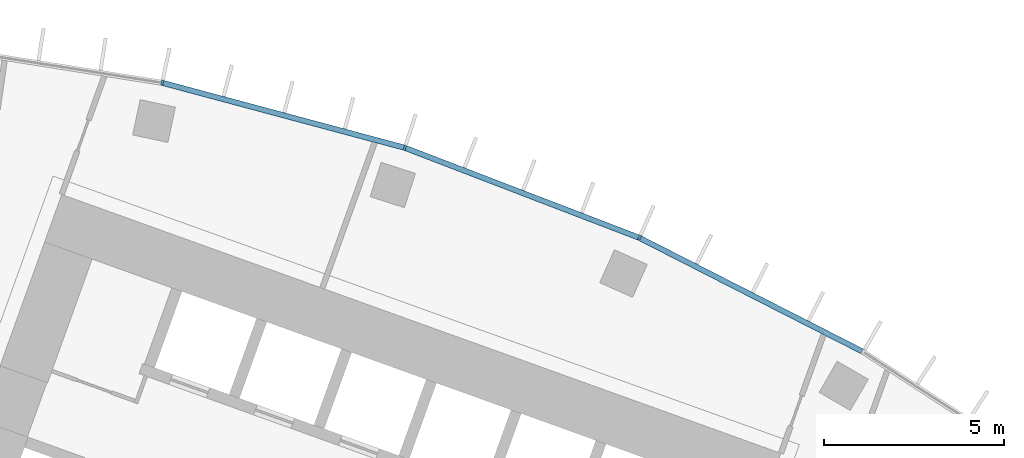
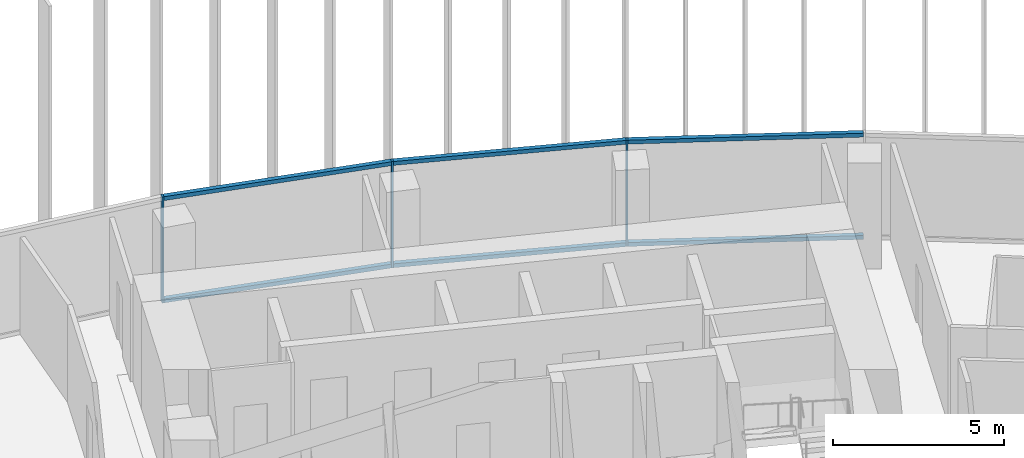
# One storey, part 11 of 22: 9 members, 1 element without a shape of its own.
"""IFC4 building model written with IfcOpenShell, lengths in metres."""

from ifc_helpers import new_model, si_unit, direction, frame, origin, origin_2d, place, context, subcontext, project, spatial, rectangle, extrude, material, layer, layer_set, material_profile, profile_set, type_object, element, aggregate, save


model = new_model("IFC4")

# Units and contexts
model_context = context("Model", 3, precision=1e-05, world=origin(), true_north=direction((0.0, 1.0)))
body_context = subcontext(model_context, "Body", "Model", "MODEL_VIEW")
ifc_project = project(units=[si_unit("LENGTHUNIT", "METRE"), si_unit("AREAUNIT", "SQUARE_METRE"), si_unit("VOLUMEUNIT", "CUBIC_METRE"), si_unit("PLANEANGLEUNIT", "RADIAN"), si_unit("MASSUNIT", "GRAM", prefix="KILO")], contexts=[model_context])

# Site, building, storey
site_placement = place(None, origin())
site = spatial("IfcSite", under=ifc_project, at=site_placement, CompositionType="ELEMENT")
building_placement = place(site_placement, origin())
building = spatial("IfcBuilding", under=site, at=building_placement, Name="Stone Belt Terrace Tower", CompositionType="ELEMENT")
storey_placement = place(building_placement, frame((0.0, 0.0, 155.39990234375)))
storey = spatial("IfcBuildingStorey", under=building, at=storey_placement, Name="L37", CompositionType="ELEMENT", Elevation=155.39990234375)

# Curtain wall, members
ifc_material = material(Name="Aluminium 6063-T6 anodised frame", Category="aluminium")
ifc_layer = layer(ifc_material, 0.14990234375)
ifc_layer_set = layer_set([ifc_layer], Name="CW-A unitised convex-face curtain wall")
curtain_wall_type = type_object("IfcCurtainWallType", Name="CW-A unitised convex-face curtain wall", PredefinedType="NOTDEFINED", material=ifc_layer_set)
curtain_wall_placement = place(storey_placement, origin())
curtain_wall = element("IfcCurtainWall", 1, at=curtain_wall_placement, inside=storey, type_object=curtain_wall_type, Name="CW-A convex face L37", PredefinedType="NOTDEFINED")
ifc_material_profile_1 = material_profile(ifc_material, rectangle(XDim=0.14990234375, YDim=0.06005859375, at=origin_2d()), Name="Aluminium 6063-T6 60x150")
ifc_profile_set_1 = profile_set([ifc_material_profile_1], Name="Aluminium 6063-T6 anodised frame")
member_type_1 = type_object("IfcMemberType", Name="CW-A mullion 60 x 150", PredefinedType="MULLION", material=ifc_profile_set_1)
member_1_placement = place(storey_placement, frame((27.07861328125, 60.8193359375, 0.0), z_axis=(0.0, 0.0, 1.0), x_axis=(-0.406736643076, -0.913545457643, 0.0)))
member_1 = element("IfcMember", 2, at=member_1_placement, type_object=member_type_1, Name="CW-A mullion 5", PredefinedType="MULLION", context=body_context, shape_type="SweptSolid", body=[
    extrude(rectangle(XDim=0.14990234375, YDim=0.06005859375, at=origin_2d()), origin(), (0.0, 0.0, 1.0), 3.800048828125),
])
member_2_placement = place(storey_placement, frame((20.57275390625, 63.316650390625, 0.0), z_axis=(0.0, 0.0, 1.0), x_axis=(-0.309016994375, -0.951056516295, 0.0)))
member_2 = element("IfcMember", 3, at=member_2_placement, type_object=member_type_1, Name="CW-A mullion 6", PredefinedType="MULLION", context=body_context, shape_type="SweptSolid", body=[
    extrude(rectangle(XDim=0.14990234375, YDim=0.06005859375, at=origin_2d()), origin(), (0.0, 0.0, 1.0), 3.800048828125),
])
member_3_placement = place(storey_placement, frame((13.841796875, 65.120361328125, 0.0), z_axis=(0.0, 0.0, 1.0), x_axis=(-0.207911690818, -0.978147600734, 0.0)))
member_3 = element("IfcMember", 4, at=member_3_placement, type_object=member_type_1, Name="CW-A mullion 7", PredefinedType="MULLION", context=body_context, shape_type="SweptSolid", body=[
    extrude(rectangle(XDim=0.14990234375, YDim=0.06005859375, at=origin_2d()), origin(), (0.0, 0.0, 1.0), 3.800048828125),
])
ifc_material_profile_2 = material_profile(ifc_material, rectangle(XDim=0.14990234375, YDim=0.139892578125, at=origin_2d()), Name="Aluminium 6063-T6 150x140")
ifc_profile_set_2 = profile_set([ifc_material_profile_2], Name="Aluminium 6063-T6 anodised frame")
member_type_2 = type_object("IfcMemberType", Name="CW-A transom 140 x 150", PredefinedType="USERDEFINED", material=ifc_profile_set_2)
member_4_placement = place(storey_placement, frame((33.25732421875, 57.671142578125, 0.070068359375), z_axis=(-0.891012226264, 0.453979308613, 0.0), x_axis=(-0.453979308613, -0.891012226264, 0.0)))
member_4 = element("IfcMember", 5, at=member_4_placement, type_object=member_type_2, Name="CW-A transom 4.1", ObjectType="TRANSOM", PredefinedType="USERDEFINED", context=body_context, shape_type="SweptSolid", body=[
    extrude(rectangle(XDim=0.14990234375, YDim=0.139892578125, at=origin_2d()), origin(), (0.0, 0.0, 1.0), 6.90087890625),
])
member_5_placement = place(storey_placement, frame((33.25732421875, 57.671142578125, 3.72998046875), z_axis=(-0.891012226264, 0.453979308613, 0.0), x_axis=(-0.453979308613, -0.891012226264, 0.0)))
member_5 = element("IfcMember", 6, at=member_5_placement, type_object=member_type_2, Name="CW-A transom 4.2", ObjectType="TRANSOM", PredefinedType="USERDEFINED", context=body_context, shape_type="SweptSolid", body=[
    extrude(rectangle(XDim=0.14990234375, YDim=0.139892578125, at=origin_2d()), origin(), (0.0, 0.0, 1.0), 6.90087890625),
])
member_6_placement = place(storey_placement, frame((27.046875, 60.83154296875, 0.070068359375), z_axis=(-0.933585210269, 0.358355487146, 0.0), x_axis=(-0.358355487146, -0.933585210269, 0.0)))
member_6 = element("IfcMember", 7, at=member_6_placement, type_object=member_type_2, Name="CW-A transom 5.1", ObjectType="TRANSOM", PredefinedType="USERDEFINED", context=body_context, shape_type="SweptSolid", body=[
    extrude(rectangle(XDim=0.14990234375, YDim=0.139892578125, at=origin_2d()), origin(), (0.0, 0.0, 1.0), 6.900634765625),
])
member_7_placement = place(storey_placement, frame((27.046875, 60.83154296875, 3.72998046875), z_axis=(-0.933585210269, 0.358355487146, 0.0), x_axis=(-0.358355487146, -0.933585210269, 0.0)))
member_7 = element("IfcMember", 8, at=member_7_placement, type_object=member_type_2, Name="CW-A transom 5.2", ObjectType="TRANSOM", PredefinedType="USERDEFINED", context=body_context, shape_type="SweptSolid", body=[
    extrude(rectangle(XDim=0.14990234375, YDim=0.139892578125, at=origin_2d()), origin(), (0.0, 0.0, 1.0), 6.900634765625),
])
member_8_placement = place(storey_placement, frame((20.5400390625, 63.325439453125, 0.070068359375), z_axis=(-0.965921835863, 0.258833937117, 0.0), x_axis=(-0.258833937117, -0.965921835863, 0.0)))
member_8 = element("IfcMember", 9, at=member_8_placement, type_object=member_type_2, Name="CW-A transom 6.1", ObjectType="TRANSOM", PredefinedType="USERDEFINED", context=body_context, shape_type="SweptSolid", body=[
    extrude(rectangle(XDim=0.14990234375, YDim=0.139892578125, at=origin_2d()), origin(), (0.0, 0.0, 1.0), 6.900634765625),
])
member_9_placement = place(storey_placement, frame((20.5400390625, 63.325439453125, 3.72998046875), z_axis=(-0.965921835863, 0.258833937117, 0.0), x_axis=(-0.258833937117, -0.965921835863, 0.0)))
member_9 = element("IfcMember", 10, at=member_9_placement, type_object=member_type_2, Name="CW-A transom 6.2", ObjectType="TRANSOM", PredefinedType="USERDEFINED", context=body_context, shape_type="SweptSolid", body=[
    extrude(rectangle(XDim=0.14990234375, YDim=0.139892578125, at=origin_2d()), origin(), (0.0, 0.0, 1.0), 6.900634765625),
])
aggregate(curtain_wall, [member_1, member_2, member_3, member_4, member_5, member_6, member_7, member_8, member_9])

save(model, "model.ifc")
